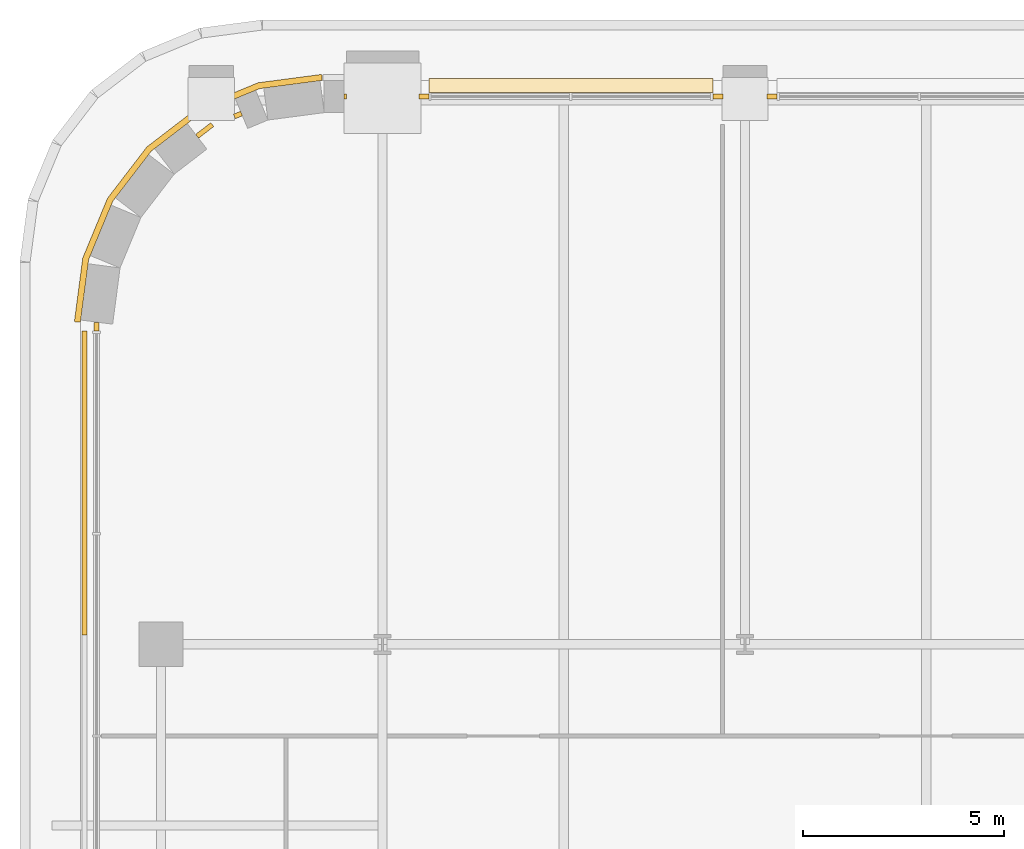
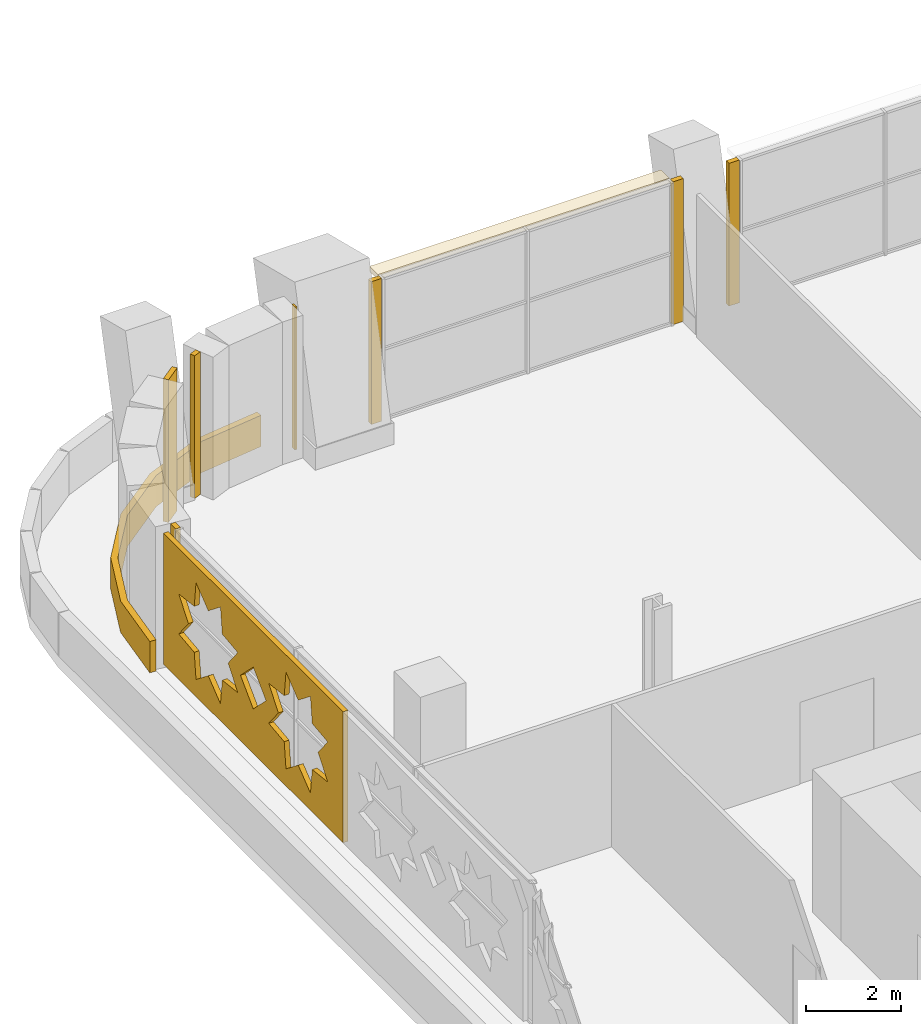
# One storey, part 22 of 26: 10 coverings.
"""IFC4 building model written with IfcOpenShell, lengths in metres."""

from ifc_helpers import new_model, si_unit, direction, frame, origin, origin_2d, place, context, subcontext, project, spatial, polyline, rectangle, outline, extrude, material, layer, layer_set, type_object, element, save


model = new_model("IFC4")

# Units and contexts
model_context = context("Model", 3, precision=1e-05, world=origin(), true_north=direction((0.0, 1.0)))
body_context = subcontext(model_context, "Body", "Model", "MODEL_VIEW")
ifc_project = project(units=[si_unit("LENGTHUNIT", "METRE"), si_unit("AREAUNIT", "SQUARE_METRE"), si_unit("VOLUMEUNIT", "CUBIC_METRE"), si_unit("PLANEANGLEUNIT", "RADIAN"), si_unit("MASSUNIT", "GRAM", prefix="KILO")], contexts=[model_context])

# Site, building, storey
site_placement = place(None, origin())
site = spatial("IfcSite", under=ifc_project, at=site_placement, CompositionType="ELEMENT")
building_placement = place(site_placement, origin())
building = spatial("IfcBuilding", under=site, at=building_placement, Name="Zellij Exchange Tower", CompositionType="ELEMENT")
storey_placement = place(building_placement, frame((0.0, 0.0, 100.5)))
storey = spatial("IfcBuildingStorey", under=building, at=storey_placement, Name="L21", CompositionType="ELEMENT", Elevation=100.5)

# Coverings
ifc_material_1 = material(Name="Limestone cladding", Category="masonry")
ifc_layer_1 = layer(ifc_material_1, 0.14990234375)
ifc_layer_set_1 = layer_set([ifc_layer_1], Name="Limestone cladding")
covering_type_1 = type_object("IfcCoveringType", Name="ENV-CV1 Stone spandrel band 150", PredefinedType="CLADDING", material=ifc_layer_set_1)
covering_1_placement = place(storey_placement, origin())
element("IfcCovering", 1, at=covering_1_placement, inside=storey, type_object=covering_type_1, Name="Stone spandrel band", PredefinedType="CLADDING", context=body_context, shape_type="SweptSolid", body=[
    extrude(outline(polyline([(-28.5, 18.5), (-30.052978515625, 18.295654296875), (-31.5, 17.6962890625), (-32.74267578125, 16.74267578125), (-33.6962890625, 15.5), (-34.295654296875, 14.052978515625), (-34.5, 12.5), (-34.64990234375, 12.509765625), (-34.441650390625, 14.092041015625), (-33.8271484375, 15.57568359375), (-32.849609375, 16.849609375), (-31.57568359375, 17.8271484375), (-30.092041015625, 18.441650390625), (-28.509765625, 18.64990234375), (-28.5, 18.5)])), origin(), (0.0, 0.0, 1.0), 0.800048828125),
])
ifc_layer_2 = layer(ifc_material_1, 0.1201171875)
ifc_layer_set_2 = layer_set([ifc_layer_2], Name="Limestone cladding")
covering_type_2 = type_object("IfcCoveringType", Name="ENV-CV18 Glazing closer 120", PredefinedType="CLADDING", material=ifc_layer_set_2)
covering_2_placement = place(storey_placement, frame((-31.414794921875, 17.25732421875, 0.0), z_axis=(0.0, 0.0, 1.0), x_axis=(0.793316151692, 0.608809891071, 0.0)))
element("IfcCovering", 2, at=covering_2_placement, inside=storey, type_object=covering_type_2, Name="Glazing closer", PredefinedType="CLADDING", context=body_context, shape_type="SweptSolid", body=[
    extrude(rectangle(XDim=0.4765625, YDim=0.1201171875, at=origin_2d()), origin(), (0.0, 0.0, 1.0), 3.64990234375),
])
for number, where, z_axis, x_axis, name in (
    (3, (-17.324951171875, 18.10009765625, 0.0), (0.0, 0.0, 1.0), (-1.0, 0.0, 0.0), "Glazing closer"),
    (4, (-18.675048828125, 18.10009765625, 0.0), (0.0, 0.0, 1.0), (1.0, 0.0, 0.0), "Glazing closer"),
    (5, (-25.97509765625, 18.10009765625, 0.0), (0.0, 0.0, 1.0), (-1.0, 0.0, 0.0), "Glazing closer"),
):
    element("IfcCovering", number, at=place(storey_placement, frame(where, z_axis=z_axis, x_axis=x_axis)), inside=storey, type_object=covering_type_2, Name=name, PredefinedType="CLADDING", context=body_context, shape_type="SweptSolid", body=[
        extrude(rectangle(XDim=0.25, YDim=0.1201171875, at=origin_2d()), origin(), (0.0, 0.0, 1.0), 3.64990234375),
    ])
covering_3_placement = place(storey_placement, frame((-34.10009765625, 12.383056640625, 0.0), z_axis=(0.0, 0.0, 1.0), x_axis=(0.0, 1.0, 0.0)))
element("IfcCovering", 6, at=covering_3_placement, inside=storey, type_object=covering_type_2, Name="Glazing closer", PredefinedType="CLADDING", context=body_context, shape_type="SweptSolid", body=[
    extrude(rectangle(XDim=0.218505859375, YDim=0.1201171875, at=origin_2d()), origin(), (0.0, 0.0, 1.0), 3.64990234375),
])
covering_4_placement = place(storey_placement, frame((-30.5888671875, 17.640625, 0.0), z_axis=(0.0, 0.0, 1.0), x_axis=(-0.923881536224, -0.382678594938, 0.0)))
element("IfcCovering", 7, at=covering_4_placement, inside=storey, type_object=covering_type_2, Name="Glazing closer", PredefinedType="CLADDING", context=body_context, shape_type="SweptSolid", body=[
    extrude(rectangle(XDim=0.19091796875, YDim=0.1201171875, at=origin_2d()), origin(), (0.0, 0.0, 1.0), 3.64990234375),
])
covering_5_placement = place(storey_placement, frame((-27.925048828125, 18.10009765625, 0.0), z_axis=(0.0, 0.0, 1.0), x_axis=(1.0, 0.0, 0.0)))
element("IfcCovering", 8, at=covering_5_placement, inside=storey, type_object=covering_type_2, Name="Glazing closer", PredefinedType="CLADDING", context=body_context, shape_type="SweptSolid", body=[
    extrude(rectangle(XDim=0.050048828125, YDim=0.1201171875, at=origin_2d()), origin(), (0.0, 0.0, 1.0), 3.64990234375),
])
ifc_material_2 = material(Name="Limestone screen", Category="masonry")
ifc_layer_3 = layer(ifc_material_2, 0.1201171875)
ifc_layer_set_3 = layer_set([ifc_layer_3], Name="Limestone screen")
covering_type_3 = type_object("IfcCoveringType", Name="ENV-SC1 Pierced stone screen 120", PredefinedType="USERDEFINED", material=ifc_layer_set_3)
covering_6_placement = place(storey_placement, frame((-34.39990234375, 12.273681640625, 0.300048828125), z_axis=(0.0, 0.0, 1.0), x_axis=(0.0, -1.0, 0.0)))
element("IfcCovering", 9, at=covering_6_placement, inside=storey, type_object=covering_type_3, Name="Pierced stone screen", ObjectType="SCREEN", PredefinedType="USERDEFINED", context=body_context, shape_type="SweptSolid", body=[
    extrude(outline(polyline([(0.0, 0.0), (7.536865234375, 0.0), (7.536865234375, 3.35009765625), (0.0, 3.35009765625), (0.0, 0.0)]), holes=[polyline([(3.122314453125, 2.187744140625), (2.4716796875, 2.262451171875), (2.39697265625, 2.9130859375), (1.88427734375, 2.505859375), (1.371337890625, 2.9130859375), (1.296875, 2.262451171875), (0.646240234375, 2.187744140625), (1.053466796875, 1.675048828125), (0.646240234375, 1.162109375), (1.296875, 1.08740234375), (1.371337890625, 0.43701171875), (1.88427734375, 0.84423828125), (2.39697265625, 0.43701171875), (2.4716796875, 1.08740234375), (3.122314453125, 1.162109375), (2.715087890625, 1.675048828125), (3.122314453125, 2.187744140625)]), polyline([(6.890625, 2.187744140625), (6.239990234375, 2.262451171875), (6.16552734375, 2.9130859375), (5.652587890625, 2.505859375), (5.139892578125, 2.9130859375), (5.065185546875, 2.262451171875), (4.414794921875, 2.187744140625), (4.822021484375, 1.675048828125), (4.414794921875, 1.162109375), (5.065185546875, 1.08740234375), (5.139892578125, 0.43701171875), (5.652587890625, 0.84423828125), (6.16552734375, 0.43701171875), (6.239990234375, 1.08740234375), (6.890625, 1.162109375), (6.4833984375, 1.675048828125), (6.890625, 2.187744140625)]), polyline([(4.304443359375, 1.675048828125), (3.7685546875, 2.2109375), (3.232421875, 1.675048828125), (3.7685546875, 1.138916015625), (4.304443359375, 1.675048828125)])]), frame((0.0, 0.06005859375, 0.0), z_axis=(0.0, -1.0, 0.0), x_axis=(1.0, 0.0, 0.0)), (0.0, 0.0, 1.0), 0.1201171875),
])
ifc_material_3 = material(Name="Limestone sunshade", Category="masonry")
ifc_layer_4 = layer(ifc_material_3, 0.1201171875)
ifc_layer_set_4 = layer_set([ifc_layer_4], Name="Limestone sunshade")
covering_type_4 = type_object("IfcCoveringType", Name="ENV-SC2 Stone sunshade 120", PredefinedType="USERDEFINED", material=ifc_layer_set_4)
covering_7_placement = place(storey_placement, frame((0.0, 0.0, 3.530029296875)))
element("IfcCovering", 10, at=covering_7_placement, inside=storey, type_object=covering_type_4, Name="Stone sunshade", ObjectType="SUNSHADE", PredefinedType="USERDEFINED", context=body_context, shape_type="SweptSolid", body=[
    extrude(outline(polyline([(-18.800048828125, 18.199951171875), (-25.85009765625, 18.199951171875), (-25.85009765625, 18.550048828125), (-18.800048828125, 18.550048828125), (-18.800048828125, 18.199951171875)])), origin(), (0.0, 0.0, 1.0), 0.119873046875),
])

save(model, "model.ifc")
